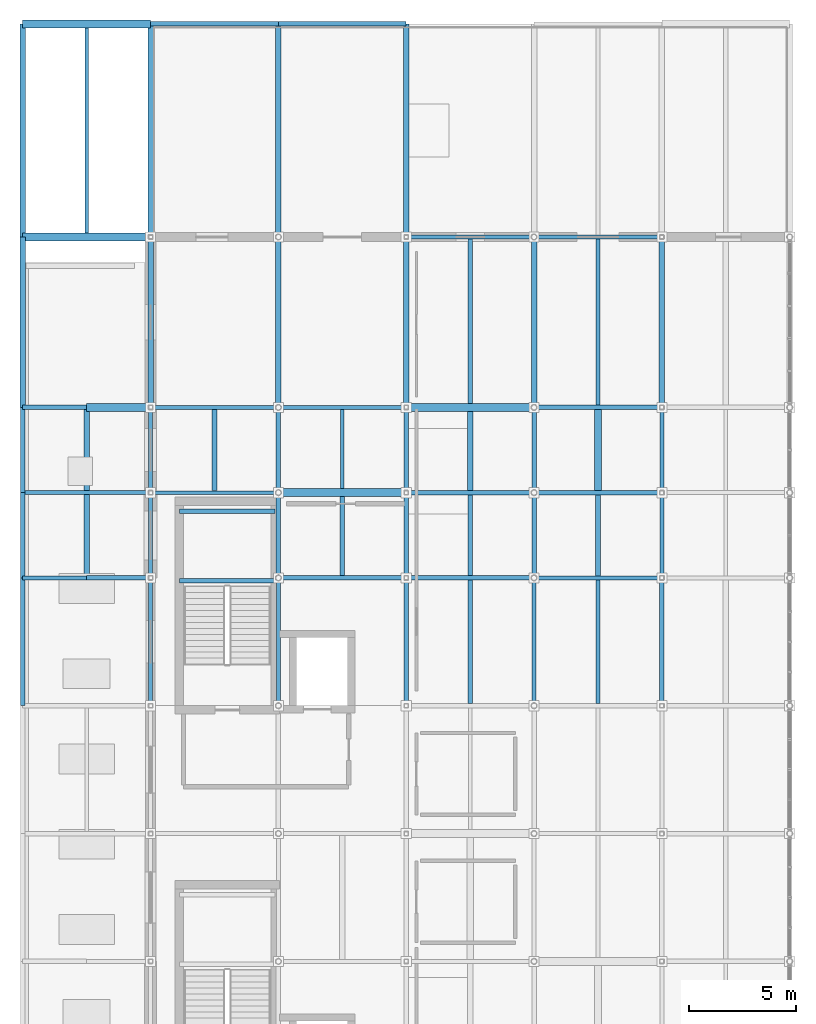
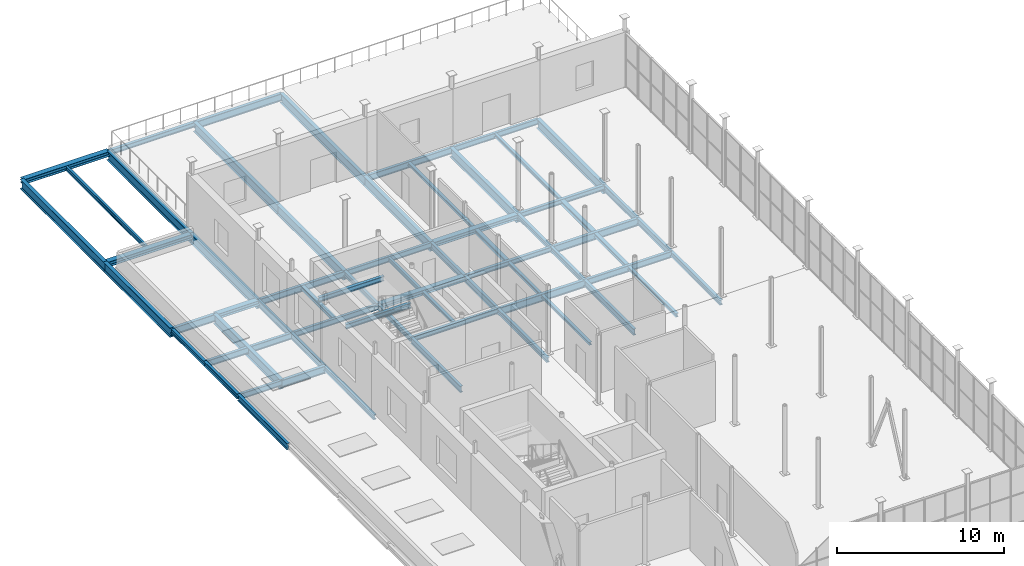
# One storey, part 15 of 27: 65 beams.
"""IFC4 building model written with IfcOpenShell, lengths in metres."""

from ifc_helpers import new_model, si_unit, direction, frame, origin, origin_2d, place, context, subcontext, project, spatial, i_section, extrude, material, material_profile, profile_set, type_object, element, save


model = new_model("IFC4")

# Units and contexts
model_context = context("Model", 3, precision=1e-05, world=origin(), true_north=direction((0.0, 1.0)))
body_context = subcontext(model_context, "Body", "Model", "MODEL_VIEW")
ifc_project = project(units=[si_unit("LENGTHUNIT", "METRE"), si_unit("AREAUNIT", "SQUARE_METRE"), si_unit("VOLUMEUNIT", "CUBIC_METRE"), si_unit("PLANEANGLEUNIT", "RADIAN"), si_unit("MASSUNIT", "GRAM", prefix="KILO")], contexts=[model_context])

# Site, building, storey
site_placement = place(None, origin())
site = spatial("IfcSite", under=ifc_project, at=site_placement, CompositionType="ELEMENT")
building_placement = place(site_placement, origin())
building = spatial("IfcBuilding", under=site, at=building_placement, Name="Verrall Gate Interchange", CompositionType="ELEMENT")
storey_placement = place(building_placement, frame((0.0, 0.0, 23.60009765625)))
storey = spatial("IfcBuildingStorey", under=building, at=storey_placement, Name="L06", CompositionType="ELEMENT", Elevation=23.60009765625)

# Beams
ifc_material_1 = material(Name="Structural Steel CSA G40.21 350WT Cat 4", Category="steel")
ifc_material_profile_1 = material_profile(ifc_material_1, i_section(OverallWidth=0.256103515625, OverallDepth=0.693115234375, WebThickness=0.01318359375, FlangeThickness=0.02001953125, FilletRadius=0.01611328125, at=origin_2d()), Name="W690x170")
ifc_profile_set_1 = profile_set([ifc_material_profile_1], Name="Structural Steel CSA G40.21 350WT Cat 4")
beam_type_1 = type_object("IfcBeamType", Name="B-07 Structural Beam W690x170", PredefinedType="BEAM", material=ifc_profile_set_1)
beam_1_placement = place(storey_placement, frame((0.0, 48.0, -0.676513671875), z_axis=(0.0, 1.0, 0.0), x_axis=(-1.0, 0.0, 0.0)))
element("IfcBeam", 1, at=beam_1_placement, inside=storey, type_object=beam_type_1, Name="L06 Girder BM-L06-3121 (B-07)", PredefinedType="BEAM", context=body_context, shape_type="SweptSolid", body=[
    extrude(i_section(OverallWidth=0.256103515625, OverallDepth=0.693115234375, WebThickness=0.01318359375, FlangeThickness=0.02001953125, FilletRadius=0.01611328125, at=origin_2d()), origin(), (0.0, 0.0, 1.0), 8.0),
])
beam_2_placement = place(storey_placement, frame((0.0, 56.0, -0.676513671875), z_axis=(0.0, 1.0, 0.0), x_axis=(-1.0, 0.0, 0.0)))
element("IfcBeam", 2, at=beam_2_placement, inside=storey, type_object=beam_type_1, Name="L06 Girder BM-L06-3122 (B-07)", PredefinedType="BEAM", context=body_context, shape_type="SweptSolid", body=[
    extrude(i_section(OverallWidth=0.256103515625, OverallDepth=0.693115234375, WebThickness=0.01318359375, FlangeThickness=0.02001953125, FilletRadius=0.01611328125, at=origin_2d()), origin(), (0.0, 0.0, 1.0), 10.0),
])
for number, where, z_axis, x_axis, name in (
    (3, (3.0, 40.0, -0.676513671875), (0.0, 1.0, 0.0), (-1.0, 0.0, 0.0), "L06 Girder BM-L06-3123 (B-07)"),
    (4, (6.0, 48.0, -0.676513671875), (0.0, 1.0, 0.0), (-1.0, 0.0, 0.0), "L06 Girder BM-L06-3132 (B-07)"),
):
    element("IfcBeam", number, at=place(storey_placement, frame(where, z_axis=z_axis, x_axis=x_axis)), inside=storey, type_object=beam_type_1, Name=name, PredefinedType="BEAM", context=body_context, shape_type="SweptSolid", body=[
        extrude(i_section(OverallWidth=0.256103515625, OverallDepth=0.693115234375, WebThickness=0.01318359375, FlangeThickness=0.02001953125, FilletRadius=0.01611328125, at=origin_2d()), origin(), (0.0, 0.0, 1.0), 8.0),
    ])
beam_3_placement = place(storey_placement, frame((6.0, 56.0, -0.676513671875), z_axis=(0.0, 1.0, 0.0), x_axis=(-1.0, 0.0, 0.0)))
element("IfcBeam", 5, at=beam_3_placement, inside=storey, type_object=beam_type_1, Name="L06 Girder BM-L06-3133 (B-07)", PredefinedType="BEAM", context=body_context, shape_type="SweptSolid", body=[
    extrude(i_section(OverallWidth=0.256103515625, OverallDepth=0.693115234375, WebThickness=0.01318359375, FlangeThickness=0.02001953125, FilletRadius=0.01611328125, at=origin_2d()), origin(), (0.0, 0.0, 1.0), 10.0),
])
beam_4_placement = place(storey_placement, frame((12.0, 48.0, -0.676513671875), z_axis=(0.0, 1.0, 0.0), x_axis=(-1.0, 0.0, 0.0)))
element("IfcBeam", 6, at=beam_4_placement, inside=storey, type_object=beam_type_1, Name="L06 Girder BM-L06-3142 (B-07)", PredefinedType="BEAM", context=body_context, shape_type="SweptSolid", body=[
    extrude(i_section(OverallWidth=0.256103515625, OverallDepth=0.693115234375, WebThickness=0.01318359375, FlangeThickness=0.02001953125, FilletRadius=0.01611328125, at=origin_2d()), origin(), (0.0, 0.0, 1.0), 8.0),
])
beam_5_placement = place(storey_placement, frame((12.0, 56.0, -0.676513671875), z_axis=(0.0, 1.0, 0.0), x_axis=(-1.0, 0.0, 0.0)))
element("IfcBeam", 7, at=beam_5_placement, inside=storey, type_object=beam_type_1, Name="L06 Girder BM-L06-3143 (B-07)", PredefinedType="BEAM", context=body_context, shape_type="SweptSolid", body=[
    extrude(i_section(OverallWidth=0.256103515625, OverallDepth=0.693115234375, WebThickness=0.01318359375, FlangeThickness=0.02001953125, FilletRadius=0.01611328125, at=origin_2d()), origin(), (0.0, 0.0, 1.0), 10.0),
])
beam_6_placement = place(storey_placement, frame((18.0, 48.0, -0.676513671875), z_axis=(0.0, 1.0, 0.0), x_axis=(-1.0, 0.0, 0.0)))
element("IfcBeam", 8, at=beam_6_placement, inside=storey, type_object=beam_type_1, Name="L06 Girder BM-L06-3152 (B-07)", PredefinedType="BEAM", context=body_context, shape_type="SweptSolid", body=[
    extrude(i_section(OverallWidth=0.256103515625, OverallDepth=0.693115234375, WebThickness=0.01318359375, FlangeThickness=0.02001953125, FilletRadius=0.01611328125, at=origin_2d()), origin(), (0.0, 0.0, 1.0), 8.0),
])
beam_7_placement = place(storey_placement, frame((18.0, 56.0, -0.676513671875), z_axis=(0.0, 1.0, 0.0), x_axis=(-1.0, 0.0, 0.0)))
element("IfcBeam", 9, at=beam_7_placement, inside=storey, type_object=beam_type_1, Name="L06 Girder BM-L06-3153 (B-07)", PredefinedType="BEAM", context=body_context, shape_type="SweptSolid", body=[
    extrude(i_section(OverallWidth=0.256103515625, OverallDepth=0.693115234375, WebThickness=0.01318359375, FlangeThickness=0.02001953125, FilletRadius=0.01611328125, at=origin_2d()), origin(), (0.0, 0.0, 1.0), 10.0),
])
for number, where, z_axis, x_axis, name in (
    (10, (24.0, 48.0, -0.676513671875), (0.0, 1.0, 0.0), (-1.0, 0.0, 0.0), "L06 Girder BM-L06-3162 (B-07)"),
    (11, (30.0, 48.0, -0.676513671875), (0.0, 1.0, 0.0), (-1.0, 0.0, 0.0), "L06 Girder BM-L06-3172 (B-07)"),
):
    element("IfcBeam", number, at=place(storey_placement, frame(where, z_axis=z_axis, x_axis=x_axis)), inside=storey, type_object=beam_type_1, Name=name, PredefinedType="BEAM", context=body_context, shape_type="SweptSolid", body=[
        extrude(i_section(OverallWidth=0.256103515625, OverallDepth=0.693115234375, WebThickness=0.01318359375, FlangeThickness=0.02001953125, FilletRadius=0.01611328125, at=origin_2d()), origin(), (0.0, 0.0, 1.0), 8.0),
    ])
ifc_material_2 = material(Name="Structural Steel CSA G40.21 350W", Category="steel")
ifc_material_profile_2 = material_profile(ifc_material_2, i_section(OverallWidth=0.2109375, OverallDepth=0.5390625, WebThickness=0.01171875, FlangeThickness=0.018798828125, FilletRadius=0.013916015625, at=origin_2d()), Name="W530x109")
ifc_profile_set_2 = profile_set([ifc_material_profile_2], Name="Structural Steel CSA G40.21 350W")
beam_type_2 = type_object("IfcBeamType", Name="B-10 Structural Beam W530x109", PredefinedType="BEAM", material=ifc_profile_set_2)
beam_8_placement = place(storey_placement, frame((3.0, 40.0, -0.599609375), z_axis=(1.0, 0.0, 0.0), x_axis=(0.0, 1.0, 0.0)))
element("IfcBeam", 12, at=beam_8_placement, inside=storey, type_object=beam_type_2, Name="L06 Girder BM-L06-3086 (B-10)", PredefinedType="BEAM", context=body_context, shape_type="SweptSolid", body=[
    extrude(i_section(OverallWidth=0.2109375, OverallDepth=0.5390625, WebThickness=0.01171875, FlangeThickness=0.018798828125, FilletRadius=0.013916015625, at=origin_2d()), origin(), (0.0, 0.0, 1.0), 3.0),
])
for number, where, z_axis, x_axis, name in (
    (13, (18.0, 40.0, -0.599609375), (1.0, 0.0, 0.0), (0.0, 1.0, 0.0), "L06 Girder BM-L06-3088 (B-10)"),
    (14, (24.0, 44.0, -0.599609375), (1.0, 0.0, 0.0), (0.0, 1.0, 0.0), "L06 Girder BM-L06-3095 (B-10)"),
):
    element("IfcBeam", number, at=place(storey_placement, frame(where, z_axis=z_axis, x_axis=x_axis)), inside=storey, type_object=beam_type_2, Name=name, PredefinedType="BEAM", context=body_context, shape_type="SweptSolid", body=[
        extrude(i_section(OverallWidth=0.2109375, OverallDepth=0.5390625, WebThickness=0.01171875, FlangeThickness=0.018798828125, FilletRadius=0.013916015625, at=origin_2d()), origin(), (0.0, 0.0, 1.0), 6.0),
    ])
beam_9_placement = place(storey_placement, frame((0.0, 48.0, -0.599609375), z_axis=(1.0, 0.0, 0.0), x_axis=(0.0, 1.0, 0.0)))
element("IfcBeam", 15, at=beam_9_placement, inside=storey, type_object=beam_type_2, Name="L06 Girder BM-L06-3097 (B-10)", PredefinedType="BEAM", context=body_context, shape_type="SweptSolid", body=[
    extrude(i_section(OverallWidth=0.2109375, OverallDepth=0.5390625, WebThickness=0.01171875, FlangeThickness=0.018798828125, FilletRadius=0.013916015625, at=origin_2d()), origin(), (0.0, 0.0, 1.0), 3.0),
])
beam_10_placement = place(storey_placement, frame((12.0, 66.0, -0.599609375), z_axis=(1.0, 0.0, 0.0), x_axis=(0.0, 1.0, 0.0)))
element("IfcBeam", 16, at=beam_10_placement, inside=storey, type_object=beam_type_2, Name="L06 Girder BM-L06-3110 (B-10)", PredefinedType="BEAM", context=body_context, shape_type="SweptSolid", body=[
    extrude(i_section(OverallWidth=0.2109375, OverallDepth=0.5390625, WebThickness=0.01171875, FlangeThickness=0.018798828125, FilletRadius=0.013916015625, at=origin_2d()), origin(), (0.0, 0.0, 1.0), 6.0),
])
ifc_material_3 = material(Name="Structural Steel CSA G40.21 350W", Category="steel")
ifc_material_profile_3 = material_profile(ifc_material_3, i_section(OverallWidth=0.19189453125, OverallDepth=0.462890625, WebThickness=0.010498046875, FlangeThickness=0.017578125, FilletRadius=0.012939453125, at=origin_2d()), Name="W460x89")
ifc_profile_set_3 = profile_set([ifc_material_profile_3], Name="Structural Steel CSA G40.21 350W")
beam_type_3 = type_object("IfcBeamType", Name="B-11 Structural Beam W460x89", PredefinedType="BEAM", material=ifc_profile_set_3)
for number, where, z_axis, x_axis, name in (
    (17, (24.0, 40.0, -0.5615234375), (1.0, 0.0, 0.0), (0.0, 1.0, 0.0), "L06 Girder BM-L06-3089 (B-11)"),
    (18, (0.0, 44.0, -0.5615234375), (1.0, 0.0, 0.0), (0.0, 1.0, 0.0), "L06 Girder BM-L06-3091 (B-11)"),
    (19, (6.0, 48.0, -0.5615234375), (1.0, 0.0, 0.0), (0.0, 1.0, 0.0), "L06 Girder BM-L06-3099 (B-11)"),
    (20, (18.0, 56.0, -0.5615234375), (1.0, 0.0, 0.0), (0.0, 1.0, 0.0), "L06 Girder BM-L06-3105 (B-11)"),
    (21, (0.0, 34.0, -0.5615234375), (0.0, 1.0, 0.0), (-1.0, 0.0, 0.0), "L06 Girder BM-L06-3118 (B-11)"),
):
    element("IfcBeam", number, at=place(storey_placement, frame(where, z_axis=z_axis, x_axis=x_axis)), inside=storey, type_object=beam_type_3, Name=name, PredefinedType="BEAM", context=body_context, shape_type="SweptSolid", body=[
        extrude(i_section(OverallWidth=0.19189453125, OverallDepth=0.462890625, WebThickness=0.010498046875, FlangeThickness=0.017578125, FilletRadius=0.012939453125, at=origin_2d()), origin(), (0.0, 0.0, 1.0), 6.0),
    ])
for number, where, z_axis, x_axis, name in (
    (22, (6.0, 40.0, -0.5615234375), (0.0, 1.0, 0.0), (-1.0, 0.0, 0.0), "L06 Girder BM-L06-3130 (B-11)"),
    (23, (6.0, 44.0, -0.5615234375), (0.0, 1.0, 0.0), (-1.0, 0.0, 0.0), "L06 Girder BM-L06-3131 (B-11)"),
):
    element("IfcBeam", number, at=place(storey_placement, frame(where, z_axis=z_axis, x_axis=x_axis)), inside=storey, type_object=beam_type_3, Name=name, PredefinedType="BEAM", context=body_context, shape_type="SweptSolid", body=[
        extrude(i_section(OverallWidth=0.19189453125, OverallDepth=0.462890625, WebThickness=0.010498046875, FlangeThickness=0.017578125, FilletRadius=0.012939453125, at=origin_2d()), origin(), (0.0, 0.0, 1.0), 4.0),
    ])
beam_11_placement = place(storey_placement, frame((12.0, 34.0, -0.5615234375), z_axis=(0.0, 1.0, 0.0), x_axis=(-1.0, 0.0, 0.0)))
element("IfcBeam", 24, at=beam_11_placement, inside=storey, type_object=beam_type_3, Name="L06 Girder BM-L06-3139 (B-11)", PredefinedType="BEAM", context=body_context, shape_type="SweptSolid", body=[
    extrude(i_section(OverallWidth=0.19189453125, OverallDepth=0.462890625, WebThickness=0.010498046875, FlangeThickness=0.017578125, FilletRadius=0.012939453125, at=origin_2d()), origin(), (0.0, 0.0, 1.0), 6.0),
])
for number, where, z_axis, x_axis, name in (
    (25, (18.0, 40.0, -0.5615234375), (0.0, 1.0, 0.0), (-1.0, 0.0, 0.0), "L06 Girder BM-L06-3150 (B-11)"),
    (26, (18.0, 44.0, -0.5615234375), (0.0, 1.0, 0.0), (-1.0, 0.0, 0.0), "L06 Girder BM-L06-3151 (B-11)"),
):
    element("IfcBeam", number, at=place(storey_placement, frame(where, z_axis=z_axis, x_axis=x_axis)), inside=storey, type_object=beam_type_3, Name=name, PredefinedType="BEAM", context=body_context, shape_type="SweptSolid", body=[
        extrude(i_section(OverallWidth=0.19189453125, OverallDepth=0.462890625, WebThickness=0.010498046875, FlangeThickness=0.017578125, FilletRadius=0.012939453125, at=origin_2d()), origin(), (0.0, 0.0, 1.0), 4.0),
    ])
beam_12_placement = place(storey_placement, frame((24.0, 34.0, -0.5615234375), z_axis=(0.0, 1.0, 0.0), x_axis=(-1.0, 0.0, 0.0)))
element("IfcBeam", 27, at=beam_12_placement, inside=storey, type_object=beam_type_3, Name="L06 Girder BM-L06-3159 (B-11)", PredefinedType="BEAM", context=body_context, shape_type="SweptSolid", body=[
    extrude(i_section(OverallWidth=0.19189453125, OverallDepth=0.462890625, WebThickness=0.010498046875, FlangeThickness=0.017578125, FilletRadius=0.012939453125, at=origin_2d()), origin(), (0.0, 0.0, 1.0), 6.0),
])
for number, where, z_axis, x_axis, name in (
    (28, (30.0, 40.0, -0.5615234375), (0.0, 1.0, 0.0), (-1.0, 0.0, 0.0), "L06 Girder BM-L06-3170 (B-11)"),
    (29, (30.0, 44.0, -0.5615234375), (0.0, 1.0, 0.0), (-1.0, 0.0, 0.0), "L06 Girder BM-L06-3171 (B-11)"),
):
    element("IfcBeam", number, at=place(storey_placement, frame(where, z_axis=z_axis, x_axis=x_axis)), inside=storey, type_object=beam_type_3, Name=name, PredefinedType="BEAM", context=body_context, shape_type="SweptSolid", body=[
        extrude(i_section(OverallWidth=0.19189453125, OverallDepth=0.462890625, WebThickness=0.010498046875, FlangeThickness=0.017578125, FilletRadius=0.012939453125, at=origin_2d()), origin(), (0.0, 0.0, 1.0), 4.0),
    ])
ifc_material_4 = material(Name="Structural Steel CSA G40.21 350W", Category="steel")
ifc_material_profile_4 = material_profile(ifc_material_4, i_section(OverallWidth=0.178955078125, OverallDepth=0.409912109375, WebThickness=0.0087890625, FlangeThickness=0.014404296875, FilletRadius=0.011962890625, at=origin_2d()), Name="W410x67")
ifc_profile_set_4 = profile_set([ifc_material_profile_4], Name="Structural Steel CSA G40.21 350W")
beam_type_4 = type_object("IfcBeamType", Name="B-12 Structural Beam W410x67", PredefinedType="BEAM", material=ifc_profile_set_4)
beam_13_placement = place(storey_placement, frame((0.0, 40.0, -0.53515625), z_axis=(1.0, 0.0, 0.0), x_axis=(0.0, 1.0, 0.0)))
element("IfcBeam", 30, at=beam_13_placement, inside=storey, type_object=beam_type_4, Name="L06 Girder BM-L06-3085 (B-12)", PredefinedType="BEAM", context=body_context, shape_type="SweptSolid", body=[
    extrude(i_section(OverallWidth=0.178955078125, OverallDepth=0.409912109375, WebThickness=0.0087890625, FlangeThickness=0.014404296875, FilletRadius=0.011962890625, at=origin_2d()), origin(), (0.0, 0.0, 1.0), 3.0),
])
for number, where, z_axis, x_axis, name in (
    (31, (6.0, 44.0, -0.53515625), (1.0, 0.0, 0.0), (0.0, 1.0, 0.0), "L06 Girder BM-L06-3092 (B-12)"),
    (32, (12.0, 48.0, -0.53515625), (1.0, 0.0, 0.0), (0.0, 1.0, 0.0), "L06 Girder BM-L06-3100 (B-12)"),
    (33, (24.0, 56.0, -0.53515625), (1.0, 0.0, 0.0), (0.0, 1.0, 0.0), "L06 Girder BM-L06-3106 (B-12)"),
):
    element("IfcBeam", number, at=place(storey_placement, frame(where, z_axis=z_axis, x_axis=x_axis)), inside=storey, type_object=beam_type_4, Name=name, PredefinedType="BEAM", context=body_context, shape_type="SweptSolid", body=[
        extrude(i_section(OverallWidth=0.178955078125, OverallDepth=0.409912109375, WebThickness=0.0087890625, FlangeThickness=0.014404296875, FilletRadius=0.011962890625, at=origin_2d()), origin(), (0.0, 0.0, 1.0), 6.0),
    ])
ifc_material_5 = material(Name="Structural Steel CSA G40.21 350W", Category="steel")
ifc_material_profile_5 = material_profile(ifc_material_5, i_section(OverallWidth=0.368896484375, OverallDepth=0.35595703125, WebThickness=0.01123046875, FlangeThickness=0.01806640625, FilletRadius=0.014892578125, at=origin_2d()), Name="W360x134")
ifc_profile_set_5 = profile_set([ifc_material_profile_5], Name="Structural Steel CSA G40.21 350W")
beam_type_5 = type_object("IfcBeamType", Name="B-13 Structural Beam W360x134", PredefinedType="BEAM", material=ifc_profile_set_5)
beam_14_placement = place(storey_placement, frame((12.0, 44.0, -0.508056640625), z_axis=(1.0, 0.0, 0.0), x_axis=(0.0, 1.0, 0.0)))
element("IfcBeam", 34, at=beam_14_placement, inside=storey, type_object=beam_type_5, Name="L06 Girder BM-L06-3093 (B-13)", PredefinedType="BEAM", context=body_context, shape_type="SweptSolid", body=[
    extrude(i_section(OverallWidth=0.368896484375, OverallDepth=0.35595703125, WebThickness=0.01123046875, FlangeThickness=0.01806640625, FilletRadius=0.014892578125, at=origin_2d()), origin(), (0.0, 0.0, 1.0), 6.0),
])
beam_15_placement = place(storey_placement, frame((3.0, 48.0, -0.508056640625), z_axis=(1.0, 0.0, 0.0), x_axis=(0.0, 1.0, 0.0)))
element("IfcBeam", 35, at=beam_15_placement, inside=storey, type_object=beam_type_5, Name="L06 Girder BM-L06-3098 (B-13)", PredefinedType="BEAM", context=body_context, shape_type="SweptSolid", body=[
    extrude(i_section(OverallWidth=0.368896484375, OverallDepth=0.35595703125, WebThickness=0.01123046875, FlangeThickness=0.01806640625, FilletRadius=0.014892578125, at=origin_2d()), origin(), (0.0, 0.0, 1.0), 3.0),
])
for number, where, z_axis, x_axis, name in (
    (36, (18.0, 48.0, -0.508056640625), (1.0, 0.0, 0.0), (0.0, 1.0, 0.0), "L06 Girder BM-L06-3101 (B-13)"),
    (37, (0.0, 56.0, -0.508056640625), (1.0, 0.0, 0.0), (0.0, 1.0, 0.0), "L06 Girder BM-L06-3104 (B-13)"),
    (38, (0.0, 66.0, -0.508056640625), (1.0, 0.0, 0.0), (0.0, 1.0, 0.0), "L06 Girder BM-L06-3108 (B-13)"),
):
    element("IfcBeam", number, at=place(storey_placement, frame(where, z_axis=z_axis, x_axis=x_axis)), inside=storey, type_object=beam_type_5, Name=name, PredefinedType="BEAM", context=body_context, shape_type="SweptSolid", body=[
        extrude(i_section(OverallWidth=0.368896484375, OverallDepth=0.35595703125, WebThickness=0.01123046875, FlangeThickness=0.01806640625, FilletRadius=0.014892578125, at=origin_2d()), origin(), (0.0, 0.0, 1.0), 6.0),
    ])
ifc_material_6 = material(Name="Structural Steel CSA G40.21 350W", Category="steel")
ifc_material_profile_6 = material_profile(ifc_material_6, i_section(OverallWidth=0.205078125, OverallDepth=0.35400390625, WebThickness=0.009521484375, FlangeThickness=0.016845703125, FilletRadius=0.012939453125, at=origin_2d()), Name="W360x79")
ifc_profile_set_6 = profile_set([ifc_material_profile_6], Name="Structural Steel CSA G40.21 350W")
beam_type_6 = type_object("IfcBeamType", Name="B-14 Structural Beam W360x79", PredefinedType="BEAM", material=ifc_profile_set_6)
for number, where, z_axis, x_axis, name in (
    (39, (12.0, 40.0, -0.507080078125), (1.0, 0.0, 0.0), (0.0, 1.0, 0.0), "L06 Girder BM-L06-3087 (B-14)"),
    (40, (18.0, 44.0, -0.507080078125), (1.0, 0.0, 0.0), (0.0, 1.0, 0.0), "L06 Girder BM-L06-3094 (B-14)"),
    (41, (24.0, 48.0, -0.507080078125), (1.0, 0.0, 0.0), (0.0, 1.0, 0.0), "L06 Girder BM-L06-3102 (B-14)"),
    (42, (6.0, 66.0, -0.507080078125), (1.0, 0.0, 0.0), (0.0, 1.0, 0.0), "L06 Girder BM-L06-3109 (B-14)"),
):
    element("IfcBeam", number, at=place(storey_placement, frame(where, z_axis=z_axis, x_axis=x_axis)), inside=storey, type_object=beam_type_6, Name=name, PredefinedType="BEAM", context=body_context, shape_type="SweptSolid", body=[
        extrude(i_section(OverallWidth=0.205078125, OverallDepth=0.35400390625, WebThickness=0.009521484375, FlangeThickness=0.016845703125, FilletRadius=0.012939453125, at=origin_2d()), origin(), (0.0, 0.0, 1.0), 6.0),
    ])
for number, where, z_axis, x_axis, name in (
    (43, (0.0, 40.0, -0.507080078125), (0.0, 1.0, 0.0), (-1.0, 0.0, 0.0), "L06 Girder BM-L06-3119 (B-14)"),
    (44, (0.0, 44.0, -0.507080078125), (0.0, 1.0, 0.0), (-1.0, 0.0, 0.0), "L06 Girder BM-L06-3120 (B-14)"),
):
    element("IfcBeam", number, at=place(storey_placement, frame(where, z_axis=z_axis, x_axis=x_axis)), inside=storey, type_object=beam_type_6, Name=name, PredefinedType="BEAM", context=body_context, shape_type="SweptSolid", body=[
        extrude(i_section(OverallWidth=0.205078125, OverallDepth=0.35400390625, WebThickness=0.009521484375, FlangeThickness=0.016845703125, FilletRadius=0.012939453125, at=origin_2d()), origin(), (0.0, 0.0, 1.0), 4.0),
    ])
beam_16_placement = place(storey_placement, frame((6.0, 34.0, -0.507080078125), z_axis=(0.0, 1.0, 0.0), x_axis=(-1.0, 0.0, 0.0)))
element("IfcBeam", 45, at=beam_16_placement, inside=storey, type_object=beam_type_6, Name="L06 Girder BM-L06-3129 (B-14)", PredefinedType="BEAM", context=body_context, shape_type="SweptSolid", body=[
    extrude(i_section(OverallWidth=0.205078125, OverallDepth=0.35400390625, WebThickness=0.009521484375, FlangeThickness=0.016845703125, FilletRadius=0.012939453125, at=origin_2d()), origin(), (0.0, 0.0, 1.0), 6.0),
])
for number, where, z_axis, x_axis, name in (
    (46, (12.0, 40.0, -0.507080078125), (0.0, 1.0, 0.0), (-1.0, 0.0, 0.0), "L06 Girder BM-L06-3140 (B-14)"),
    (47, (12.0, 44.0, -0.507080078125), (0.0, 1.0, 0.0), (-1.0, 0.0, 0.0), "L06 Girder BM-L06-3141 (B-14)"),
):
    element("IfcBeam", number, at=place(storey_placement, frame(where, z_axis=z_axis, x_axis=x_axis)), inside=storey, type_object=beam_type_6, Name=name, PredefinedType="BEAM", context=body_context, shape_type="SweptSolid", body=[
        extrude(i_section(OverallWidth=0.205078125, OverallDepth=0.35400390625, WebThickness=0.009521484375, FlangeThickness=0.016845703125, FilletRadius=0.012939453125, at=origin_2d()), origin(), (0.0, 0.0, 1.0), 4.0),
    ])
beam_17_placement = place(storey_placement, frame((18.0, 34.0, -0.507080078125), z_axis=(0.0, 1.0, 0.0), x_axis=(-1.0, 0.0, 0.0)))
element("IfcBeam", 48, at=beam_17_placement, inside=storey, type_object=beam_type_6, Name="L06 Girder BM-L06-3149 (B-14)", PredefinedType="BEAM", context=body_context, shape_type="SweptSolid", body=[
    extrude(i_section(OverallWidth=0.205078125, OverallDepth=0.35400390625, WebThickness=0.009521484375, FlangeThickness=0.016845703125, FilletRadius=0.012939453125, at=origin_2d()), origin(), (0.0, 0.0, 1.0), 6.0),
])
for number, where, z_axis, x_axis, name in (
    (49, (24.0, 40.0, -0.507080078125), (0.0, 1.0, 0.0), (-1.0, 0.0, 0.0), "L06 Girder BM-L06-3160 (B-14)"),
    (50, (24.0, 44.0, -0.507080078125), (0.0, 1.0, 0.0), (-1.0, 0.0, 0.0), "L06 Girder BM-L06-3161 (B-14)"),
):
    element("IfcBeam", number, at=place(storey_placement, frame(where, z_axis=z_axis, x_axis=x_axis)), inside=storey, type_object=beam_type_6, Name=name, PredefinedType="BEAM", context=body_context, shape_type="SweptSolid", body=[
        extrude(i_section(OverallWidth=0.205078125, OverallDepth=0.35400390625, WebThickness=0.009521484375, FlangeThickness=0.016845703125, FilletRadius=0.012939453125, at=origin_2d()), origin(), (0.0, 0.0, 1.0), 4.0),
    ])
beam_18_placement = place(storey_placement, frame((30.0, 34.0, -0.507080078125), z_axis=(0.0, 1.0, 0.0), x_axis=(-1.0, 0.0, 0.0)))
element("IfcBeam", 51, at=beam_18_placement, inside=storey, type_object=beam_type_6, Name="L06 Girder BM-L06-3169 (B-14)", PredefinedType="BEAM", context=body_context, shape_type="SweptSolid", body=[
    extrude(i_section(OverallWidth=0.205078125, OverallDepth=0.35400390625, WebThickness=0.009521484375, FlangeThickness=0.016845703125, FilletRadius=0.012939453125, at=origin_2d()), origin(), (0.0, 0.0, 1.0), 6.0),
])
for number, where, z_axis, x_axis, name in (
    (52, (7.35009765625, 39.8701171875, 2.1298828125), (1.0, 0.0, 0.0), (0.0, 1.0, 0.0), "L06 Core C2 Mid-Landing Beam 1"),
    (53, (7.35009765625, 43.1201171875, 2.1298828125), (1.0, 0.0, 0.0), (0.0, 1.0, 0.0), "L06 Core C2 Mid-Landing Beam 2"),
):
    element("IfcBeam", number, at=place(storey_placement, frame(where, z_axis=z_axis, x_axis=x_axis)), inside=storey, type_object=beam_type_6, Name=name, PredefinedType="BEAM", context=body_context, shape_type="SweptSolid", body=[
        extrude(i_section(OverallWidth=0.205078125, OverallDepth=0.35400390625, WebThickness=0.009521484375, FlangeThickness=0.016845703125, FilletRadius=0.012939453125, at=origin_2d()), origin(), (0.0, 0.0, 1.0), 4.5),
    ])
ifc_material_7 = material(Name="Structural Steel CSA G40.21 350W", Category="steel")
ifc_material_profile_7 = material_profile(ifc_material_7, i_section(OverallWidth=0.306884765625, OverallDepth=0.31396484375, WebThickness=0.011962890625, FlangeThickness=0.018798828125, FilletRadius=0.013916015625, at=origin_2d()), Name="W310x118")
ifc_profile_set_7 = profile_set([ifc_material_profile_7], Name="Structural Steel CSA G40.21 350W")
beam_type_7 = type_object("IfcBeamType", Name="J-02 Floor Joist W310x118", PredefinedType="JOIST", material=ifc_profile_set_7)
beam_19_placement = place(storey_placement, frame((27.0, 44.10546875, -0.487060546875), z_axis=(0.0, 1.0, 0.0), x_axis=(-1.0, 0.0, 0.0)))
element("IfcBeam", 54, at=beam_19_placement, inside=storey, type_object=beam_type_7, Name="L06 Secondary Floor Joist JST-L06-3214", PredefinedType="JOIST", context=body_context, shape_type="SweptSolid", body=[
    extrude(i_section(OverallWidth=0.306884765625, OverallDepth=0.31396484375, WebThickness=0.011962890625, FlangeThickness=0.018798828125, FilletRadius=0.013916015625, at=origin_2d()), origin(), (0.0, 0.0, 1.0), 3.7919921875),
])
ifc_material_8 = material(Name="Structural Steel CSA G40.21 350W", Category="steel")
ifc_material_profile_8 = material_profile(ifc_material_8, i_section(OverallWidth=0.25390625, OverallDepth=0.305908203125, WebThickness=0.0087890625, FlangeThickness=0.0146484375, FilletRadius=0.012939453125, at=origin_2d()), Name="W310x79")
ifc_profile_set_8 = profile_set([ifc_material_profile_8], Name="Structural Steel CSA G40.21 350W")
beam_type_8 = type_object("IfcBeamType", Name="J-03 Floor Joist W310x79", PredefinedType="JOIST", material=ifc_profile_set_8)
beam_20_placement = place(storey_placement, frame((21.0, 44.1025390625, -0.483154296875), z_axis=(0.0, 1.0, 0.0), x_axis=(-1.0, 0.0, 0.0)))
element("IfcBeam", 55, at=beam_20_placement, inside=storey, type_object=beam_type_8, Name="L06 Secondary Floor Joist JST-L06-3213", PredefinedType="JOIST", context=body_context, shape_type="SweptSolid", body=[
    extrude(i_section(OverallWidth=0.25390625, OverallDepth=0.305908203125, WebThickness=0.0087890625, FlangeThickness=0.0146484375, FilletRadius=0.012939453125, at=origin_2d()), origin(), (0.0, 0.0, 1.0), 3.712890625),
])
ifc_material_9 = material(Name="Structural Steel CSA G40.21 350W", Category="steel")
ifc_material_profile_9 = material_profile(ifc_material_9, i_section(OverallWidth=0.1650390625, OverallDepth=0.31005859375, WebThickness=0.005859375, FlangeThickness=0.009765625, FilletRadius=0.010009765625, at=origin_2d()), Name="W310x39")
ifc_profile_set_9 = profile_set([ifc_material_profile_9], Name="Structural Steel CSA G40.21 350W")
beam_type_9 = type_object("IfcBeamType", Name="J-04 Floor Joist W310x39", PredefinedType="JOIST", material=ifc_profile_set_9)
beam_21_placement = place(storey_placement, frame((15.0, 44.1845703125, -0.485107421875), z_axis=(0.0, 1.0, 0.0), x_axis=(-1.0, 0.0, 0.0)))
element("IfcBeam", 56, at=beam_21_placement, inside=storey, type_object=beam_type_9, Name="L06 Secondary Floor Joist JST-L06-3212", PredefinedType="JOIST", context=body_context, shape_type="SweptSolid", body=[
    extrude(i_section(OverallWidth=0.1650390625, OverallDepth=0.31005859375, WebThickness=0.005859375, FlangeThickness=0.009765625, FilletRadius=0.010009765625, at=origin_2d()), origin(), (0.0, 0.0, 1.0), 3.725830078125),
])
beam_22_placement = place(storey_placement, frame((3.0, 56.1845703125, -0.485107421875), z_axis=(0.0, 1.0, 0.0), x_axis=(-1.0, 0.0, 0.0)))
element("IfcBeam", 57, at=beam_22_placement, inside=storey, type_object=beam_type_9, Name="L06 Secondary Floor Joist JST-L06-3219", PredefinedType="JOIST", context=body_context, shape_type="SweptSolid", body=[
    extrude(i_section(OverallWidth=0.1650390625, OverallDepth=0.31005859375, WebThickness=0.005859375, FlangeThickness=0.009765625, FilletRadius=0.010009765625, at=origin_2d()), origin(), (0.0, 0.0, 1.0), 9.630859375),
])
ifc_material_10 = material(Name="Structural Steel CSA G40.21 350W", Category="steel")
ifc_material_profile_10 = material_profile(ifc_material_10, i_section(OverallWidth=0.25390625, OverallDepth=0.2529296875, WebThickness=0.008544921875, FlangeThickness=0.01416015625, FilletRadius=0.011962890625, at=origin_2d()), Name="W250x73")
ifc_profile_set_10 = profile_set([ifc_material_profile_10], Name="Structural Steel CSA G40.21 350W")
beam_type_10 = type_object("IfcBeamType", Name="J-05 Floor Joist W250x73", PredefinedType="JOIST", material=ifc_profile_set_10)
beam_23_placement = place(storey_placement, frame((27.0, 40.095947265625, -0.45654296875), z_axis=(0.0, 1.0, 0.0), x_axis=(-1.0, 0.0, 0.0)))
element("IfcBeam", 58, at=beam_23_placement, inside=storey, type_object=beam_type_10, Name="L06 Secondary Floor Joist JST-L06-3209", PredefinedType="JOIST", context=body_context, shape_type="SweptSolid", body=[
    extrude(i_section(OverallWidth=0.25390625, OverallDepth=0.2529296875, WebThickness=0.008544921875, FlangeThickness=0.01416015625, FilletRadius=0.011962890625, at=origin_2d()), origin(), (0.0, 0.0, 1.0), 3.798583984375),
])
beam_24_placement = place(storey_placement, frame((9.0, 44.089599609375, -0.45654296875), z_axis=(0.0, 1.0, 0.0), x_axis=(-1.0, 0.0, 0.0)))
element("IfcBeam", 59, at=beam_24_placement, inside=storey, type_object=beam_type_10, Name="L06 Secondary Floor Joist JST-L06-3211", PredefinedType="JOIST", context=body_context, shape_type="SweptSolid", body=[
    extrude(i_section(OverallWidth=0.25390625, OverallDepth=0.2529296875, WebThickness=0.008544921875, FlangeThickness=0.01416015625, FilletRadius=0.011962890625, at=origin_2d()), origin(), (0.0, 0.0, 1.0), 3.814453125),
])
ifc_material_11 = material(Name="Structural Steel CSA G40.21 350W", Category="steel")
ifc_material_profile_11 = material_profile(ifc_material_11, i_section(OverallWidth=0.201904296875, OverallDepth=0.2470703125, WebThickness=0.00732421875, FlangeThickness=0.010986328125, FilletRadius=0.010986328125, at=origin_2d()), Name="W250x49")
ifc_profile_set_11 = profile_set([ifc_material_profile_11], Name="Structural Steel CSA G40.21 350W")
beam_type_11 = type_object("IfcBeamType", Name="J-06 Floor Joist W250x49", PredefinedType="JOIST", material=ifc_profile_set_11)
beam_25_placement = place(storey_placement, frame((27.0, 34.10546875, -0.45361328125), z_axis=(0.0, 1.0, 0.0), x_axis=(-1.0, 0.0, 0.0)))
element("IfcBeam", 60, at=beam_25_placement, inside=storey, type_object=beam_type_11, Name="L06 Secondary Floor Joist JST-L06-3205", PredefinedType="JOIST", context=body_context, shape_type="SweptSolid", body=[
    extrude(i_section(OverallWidth=0.201904296875, OverallDepth=0.2470703125, WebThickness=0.00732421875, FlangeThickness=0.010986328125, FilletRadius=0.010986328125, at=origin_2d()), origin(), (0.0, 0.0, 1.0), 5.798583984375),
])
beam_26_placement = place(storey_placement, frame((21.0, 40.10546875, -0.45361328125), z_axis=(0.0, 1.0, 0.0), x_axis=(-1.0, 0.0, 0.0)))
element("IfcBeam", 61, at=beam_26_placement, inside=storey, type_object=beam_type_11, Name="L06 Secondary Floor Joist JST-L06-3208", PredefinedType="JOIST", context=body_context, shape_type="SweptSolid", body=[
    extrude(i_section(OverallWidth=0.201904296875, OverallDepth=0.2470703125, WebThickness=0.00732421875, FlangeThickness=0.010986328125, FilletRadius=0.010986328125, at=origin_2d()), origin(), (0.0, 0.0, 1.0), 3.7919921875),
])
beam_27_placement = place(storey_placement, frame((27.0, 48.1025390625, -0.45361328125), z_axis=(0.0, 1.0, 0.0), x_axis=(-1.0, 0.0, 0.0)))
element("IfcBeam", 62, at=beam_27_placement, inside=storey, type_object=beam_type_11, Name="L06 Secondary Floor Joist JST-L06-3217", PredefinedType="JOIST", context=body_context, shape_type="SweptSolid", body=[
    extrude(i_section(OverallWidth=0.201904296875, OverallDepth=0.2470703125, WebThickness=0.00732421875, FlangeThickness=0.010986328125, FilletRadius=0.010986328125, at=origin_2d()), origin(), (0.0, 0.0, 1.0), 7.807861328125),
])
ifc_material_12 = material(Name="Structural Steel CSA G40.21 350W", Category="steel")
ifc_material_profile_12 = material_profile(ifc_material_12, i_section(OverallWidth=0.202880859375, OverallDepth=0.202880859375, WebThickness=0.007080078125, FlangeThickness=0.010986328125, FilletRadius=0.010009765625, at=origin_2d()), Name="W200x46")
ifc_profile_set_12 = profile_set([ifc_material_profile_12], Name="Structural Steel CSA G40.21 350W")
beam_type_12 = type_object("IfcBeamType", Name="J-07 Floor Joist W200x46", PredefinedType="JOIST", material=ifc_profile_set_12)
beam_28_placement = place(storey_placement, frame((21.0, 34.1025390625, -0.431640625), z_axis=(0.0, 1.0, 0.0), x_axis=(-1.0, 0.0, 0.0)))
element("IfcBeam", 63, at=beam_28_placement, inside=storey, type_object=beam_type_12, Name="L06 Secondary Floor Joist JST-L06-3204", PredefinedType="JOIST", context=body_context, shape_type="SweptSolid", body=[
    extrude(i_section(OverallWidth=0.202880859375, OverallDepth=0.202880859375, WebThickness=0.007080078125, FlangeThickness=0.010986328125, FilletRadius=0.010009765625, at=origin_2d()), origin(), (0.0, 0.0, 1.0), 5.7919921875),
])
beam_29_placement = place(storey_placement, frame((15.0, 40.1025390625, -0.431640625), z_axis=(0.0, 1.0, 0.0), x_axis=(-1.0, 0.0, 0.0)))
element("IfcBeam", 64, at=beam_29_placement, inside=storey, type_object=beam_type_12, Name="L06 Secondary Floor Joist JST-L06-3207", PredefinedType="JOIST", context=body_context, shape_type="SweptSolid", body=[
    extrude(i_section(OverallWidth=0.202880859375, OverallDepth=0.202880859375, WebThickness=0.007080078125, FlangeThickness=0.010986328125, FilletRadius=0.010009765625, at=origin_2d()), origin(), (0.0, 0.0, 1.0), 3.712890625),
])
beam_30_placement = place(storey_placement, frame((21.0, 48.1845703125, -0.431640625), z_axis=(0.0, 1.0, 0.0), x_axis=(-1.0, 0.0, 0.0)))
element("IfcBeam", 65, at=beam_30_placement, inside=storey, type_object=beam_type_12, Name="L06 Secondary Floor Joist JST-L06-3216", PredefinedType="JOIST", context=body_context, shape_type="SweptSolid", body=[
    extrude(i_section(OverallWidth=0.202880859375, OverallDepth=0.202880859375, WebThickness=0.007080078125, FlangeThickness=0.010986328125, FilletRadius=0.010009765625, at=origin_2d()), origin(), (0.0, 0.0, 1.0), 7.719482421875),
])

save(model, "model.ifc")
